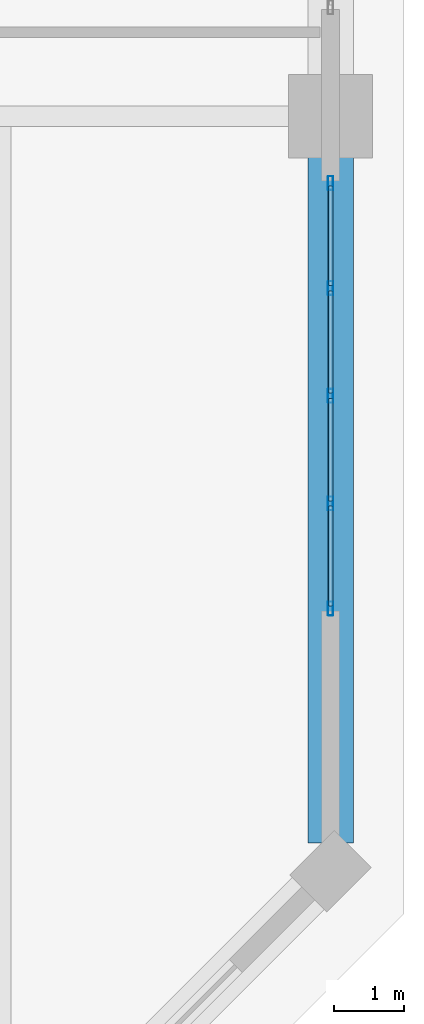
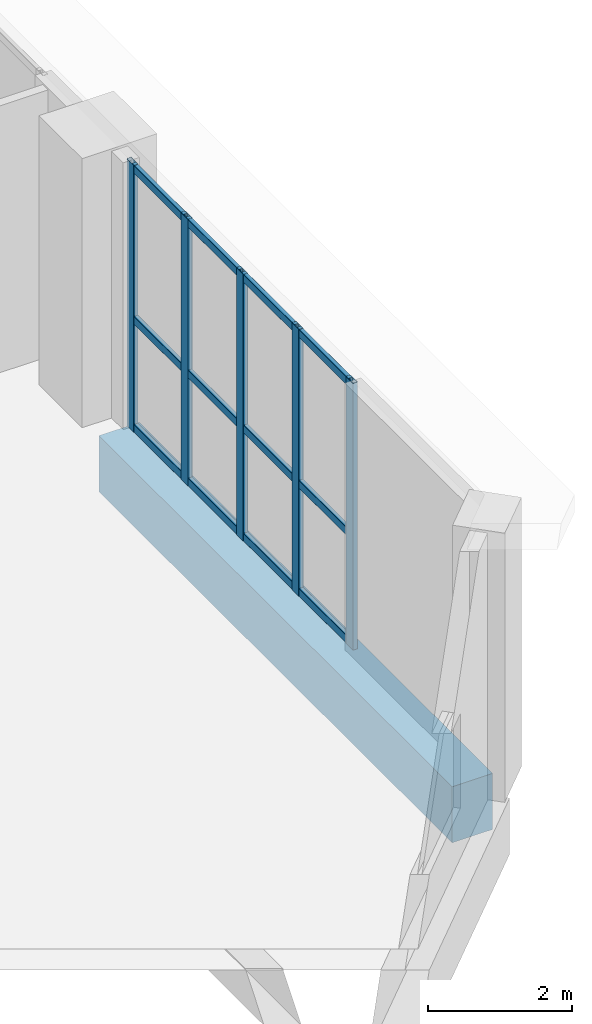
# One storey, part 20 of 37: 17 members, 1 beam, 1 element without a shape of its own.
"""IFC4 building model written with IfcOpenShell, lengths in metres."""

from ifc_helpers import new_model, si_unit, direction, frame, origin, origin_2d, place, context, subcontext, project, spatial, rectangle, hollow_rectangle, extrude, material, layer, layer_set, material_profile, profile_set, type_object, element, aggregate, save


model = new_model("IFC4")

# Units and contexts
model_context = context("Model", 3, precision=1e-05, world=origin(), true_north=direction((0.0, 1.0)))
body_context = subcontext(model_context, "Body", "Model", "MODEL_VIEW")
ifc_project = project(units=[si_unit("LENGTHUNIT", "METRE"), si_unit("AREAUNIT", "SQUARE_METRE"), si_unit("VOLUMEUNIT", "CUBIC_METRE"), si_unit("PLANEANGLEUNIT", "RADIAN"), si_unit("MASSUNIT", "GRAM", prefix="KILO")], contexts=[model_context])

# Site, building, storey
site_placement = place(None, origin())
site = spatial("IfcSite", under=ifc_project, at=site_placement, CompositionType="ELEMENT")
building_placement = place(site_placement, origin())
building = spatial("IfcBuilding", under=site, at=building_placement, Name="Kaelvorn Grand Hotel", CompositionType="ELEMENT")
storey_placement = place(building_placement, frame((0.0, 0.0, 130.550048828125)))
storey = spatial("IfcBuildingStorey", under=building, at=storey_placement, Name="L31", CompositionType="ELEMENT", Elevation=130.550048828125)

# Beam
ifc_material_1 = material(Name="Concrete C60/75", Category="concrete")
ifc_material_profile_1 = material_profile(ifc_material_1, rectangle(XDim=0.64990234375, YDim=0.949951171875, at=origin_2d()), Name="RC SPANDREL 650x950")
ifc_profile_set_1 = profile_set([ifc_material_profile_1], Name="Concrete C60/75")
beam_type = type_object("IfcBeamType", Name="BM-SP-650x950-C60", PredefinedType="SPANDREL", material=ifc_profile_set_1)
beam_placement = place(storey_placement, frame((84.0, 4.60498046875, -0.715087890625), z_axis=(0.0, 1.0, 0.0), x_axis=(-1.0, 0.0, 0.0)))
element("IfcBeam", 1, at=beam_placement, inside=storey, type_object=beam_type, Name="L31 East Perimeter Spandrel 01", PredefinedType="SPANDREL", context=body_context, shape_type="SweptSolid", body=[
    extrude(rectangle(XDim=0.64990234375, YDim=0.949951171875, at=origin_2d()), origin(), (0.0, 0.0, 1.0), 9.81005859375),
])

# Curtain wall, members
ifc_material_2 = material(Name="Anodised Aluminium", Category="aluminium")
ifc_layer = layer(ifc_material_2, 0.199951171875)
ifc_layer_set = layer_set([ifc_layer], Name="Anodised Aluminium")
curtain_wall_type = type_object("IfcCurtainWallType", Name="CW-SYS3", PredefinedType="NOTDEFINED", material=ifc_layer_set)
curtain_wall_placement = place(storey_placement, origin())
curtain_wall = element("IfcCurtainWall", 2, at=curtain_wall_placement, inside=storey, type_object=curtain_wall_type, Name="L31 Unitised Curtain Wall CW3 (CW-L31-E-01)", PredefinedType="NOTDEFINED")
ifc_material_profile_2 = material_profile(ifc_material_2, hollow_rectangle(XDim=0.074951171875, YDim=0.199951171875, WallThickness=0.00390625, InnerFilletRadius=0.00390625, OuterFilletRadius=0.008056640625, at=origin_2d()), Name="ALU MULL 75x200")
ifc_profile_set_2 = profile_set([ifc_material_profile_2], Name="Anodised Aluminium")
member_type_1 = type_object("IfcMemberType", Name="CW-SYS3-MULL", PredefinedType="MULLION", material=ifc_profile_set_2)
member_1_placement = place(storey_placement, frame((84.0, 7.95751953125, 0.0), z_axis=(0.0, 0.0, 1.0), x_axis=(-1.0, 0.0, 0.0)))
member_1 = element("IfcMember", 3, at=member_1_placement, type_object=member_type_1, Name="CW3 mullion 1", PredefinedType="MULLION", context=body_context, shape_type="SweptSolid", body=[
    extrude(hollow_rectangle(XDim=0.074951171875, YDim=0.199951171875, WallThickness=0.00390625, InnerFilletRadius=0.00390625, OuterFilletRadius=0.008056640625, at=origin_2d()), origin(), (0.0, 0.0, 1.0), 4.52001953125),
])
member_2_placement = place(storey_placement, frame((84.0, 9.4599609375, 0.0), z_axis=(0.0, 0.0, 1.0), x_axis=(-1.0, 0.0, 0.0)))
member_2 = element("IfcMember", 4, at=member_2_placement, type_object=member_type_1, Name="CW3 mullion 2", PredefinedType="MULLION", context=body_context, shape_type="SweptSolid", body=[
    extrude(hollow_rectangle(XDim=0.074951171875, YDim=0.199951171875, WallThickness=0.00390625, InnerFilletRadius=0.00390625, OuterFilletRadius=0.008056640625, at=origin_2d()), origin(), (0.0, 0.0, 1.0), 4.52001953125),
])
member_3_placement = place(storey_placement, frame((84.0, 11.0, 0.0), z_axis=(0.0, 0.0, 1.0), x_axis=(-1.0, 0.0, 0.0)))
member_3 = element("IfcMember", 5, at=member_3_placement, type_object=member_type_1, Name="CW3 mullion 3", PredefinedType="MULLION", context=body_context, shape_type="SweptSolid", body=[
    extrude(hollow_rectangle(XDim=0.074951171875, YDim=0.199951171875, WallThickness=0.00390625, InnerFilletRadius=0.00390625, OuterFilletRadius=0.008056640625, at=origin_2d()), origin(), (0.0, 0.0, 1.0), 4.52001953125),
])
member_4_placement = place(storey_placement, frame((84.0, 12.5400390625, 0.0), z_axis=(0.0, 0.0, 1.0), x_axis=(-1.0, 0.0, 0.0)))
member_4 = element("IfcMember", 6, at=member_4_placement, type_object=member_type_1, Name="CW3 mullion 4", PredefinedType="MULLION", context=body_context, shape_type="SweptSolid", body=[
    extrude(hollow_rectangle(XDim=0.074951171875, YDim=0.199951171875, WallThickness=0.00390625, InnerFilletRadius=0.00390625, OuterFilletRadius=0.008056640625, at=origin_2d()), origin(), (0.0, 0.0, 1.0), 4.52001953125),
])
member_5_placement = place(storey_placement, frame((84.0, 14.04248046875, 0.0), z_axis=(0.0, 0.0, 1.0), x_axis=(-1.0, 0.0, 0.0)))
member_5 = element("IfcMember", 7, at=member_5_placement, type_object=member_type_1, Name="CW3 mullion 5", PredefinedType="MULLION", context=body_context, shape_type="SweptSolid", body=[
    extrude(hollow_rectangle(XDim=0.074951171875, YDim=0.199951171875, WallThickness=0.00390625, InnerFilletRadius=0.00390625, OuterFilletRadius=0.008056640625, at=origin_2d()), origin(), (0.0, 0.0, 1.0), 4.52001953125),
])
ifc_material_profile_3 = material_profile(ifc_material_2, hollow_rectangle(XDim=0.070068359375, YDim=0.135009765625, WallThickness=0.00341796875, InnerFilletRadius=0.00341796875, OuterFilletRadius=0.007080078125, at=origin_2d()), Name="ALU TRAN 70x135")
ifc_profile_set_3 = profile_set([ifc_material_profile_3], Name="Anodised Aluminium")
member_type_2 = type_object("IfcMemberType", Name="CW-SYS3-TRAN", PredefinedType="NOTDEFINED", material=ifc_profile_set_3)
member_6_placement = place(storey_placement, frame((84.0, 7.9951171875, 0.0673828125), z_axis=(0.0, 1.0, 0.0), x_axis=(-1.0, 0.0, 0.0)))
member_6 = element("IfcMember", 8, at=member_6_placement, type_object=member_type_2, Name="CW3 transom 1.1", ObjectType="TRANSOM", PredefinedType="USERDEFINED", context=body_context, shape_type="SweptSolid", body=[
    extrude(hollow_rectangle(XDim=0.070068359375, YDim=0.135009765625, WallThickness=0.00341796875, InnerFilletRadius=0.00341796875, OuterFilletRadius=0.007080078125, at=origin_2d()), origin(), (0.0, 0.0, 1.0), 1.427490234375),
])
member_7_placement = place(storey_placement, frame((84.0, 7.9951171875, 1.8984375), z_axis=(0.0, 1.0, 0.0), x_axis=(-1.0, 0.0, 0.0)))
member_7 = element("IfcMember", 9, at=member_7_placement, type_object=member_type_2, Name="CW3 transom 1.2", ObjectType="TRANSOM", PredefinedType="USERDEFINED", context=body_context, shape_type="SweptSolid", body=[
    extrude(hollow_rectangle(XDim=0.070068359375, YDim=0.135009765625, WallThickness=0.00341796875, InnerFilletRadius=0.00341796875, OuterFilletRadius=0.007080078125, at=origin_2d()), origin(), (0.0, 0.0, 1.0), 1.427490234375),
])
member_8_placement = place(storey_placement, frame((84.0, 7.9951171875, 4.452392578125), z_axis=(0.0, 1.0, 0.0), x_axis=(-1.0, 0.0, 0.0)))
member_8 = element("IfcMember", 10, at=member_8_placement, type_object=member_type_2, Name="CW3 transom 1.3", ObjectType="TRANSOM", PredefinedType="USERDEFINED", context=body_context, shape_type="SweptSolid", body=[
    extrude(hollow_rectangle(XDim=0.070068359375, YDim=0.135009765625, WallThickness=0.00341796875, InnerFilletRadius=0.00341796875, OuterFilletRadius=0.007080078125, at=origin_2d()), origin(), (0.0, 0.0, 1.0), 1.427490234375),
])
member_9_placement = place(storey_placement, frame((84.0, 9.49755859375, 0.0673828125), z_axis=(0.0, 1.0, 0.0), x_axis=(-1.0, 0.0, 0.0)))
member_9 = element("IfcMember", 11, at=member_9_placement, type_object=member_type_2, Name="CW3 transom 2.1", ObjectType="TRANSOM", PredefinedType="USERDEFINED", context=body_context, shape_type="SweptSolid", body=[
    extrude(hollow_rectangle(XDim=0.070068359375, YDim=0.135009765625, WallThickness=0.00341796875, InnerFilletRadius=0.00341796875, OuterFilletRadius=0.007080078125, at=origin_2d()), origin(), (0.0, 0.0, 1.0), 1.46484375),
])
member_10_placement = place(storey_placement, frame((84.0, 9.49755859375, 1.8984375), z_axis=(0.0, 1.0, 0.0), x_axis=(-1.0, 0.0, 0.0)))
member_10 = element("IfcMember", 12, at=member_10_placement, type_object=member_type_2, Name="CW3 transom 2.2", ObjectType="TRANSOM", PredefinedType="USERDEFINED", context=body_context, shape_type="SweptSolid", body=[
    extrude(hollow_rectangle(XDim=0.070068359375, YDim=0.135009765625, WallThickness=0.00341796875, InnerFilletRadius=0.00341796875, OuterFilletRadius=0.007080078125, at=origin_2d()), origin(), (0.0, 0.0, 1.0), 1.46484375),
])
member_11_placement = place(storey_placement, frame((84.0, 9.49755859375, 4.452392578125), z_axis=(0.0, 1.0, 0.0), x_axis=(-1.0, 0.0, 0.0)))
member_11 = element("IfcMember", 13, at=member_11_placement, type_object=member_type_2, Name="CW3 transom 2.3", ObjectType="TRANSOM", PredefinedType="USERDEFINED", context=body_context, shape_type="SweptSolid", body=[
    extrude(hollow_rectangle(XDim=0.070068359375, YDim=0.135009765625, WallThickness=0.00341796875, InnerFilletRadius=0.00341796875, OuterFilletRadius=0.007080078125, at=origin_2d()), origin(), (0.0, 0.0, 1.0), 1.46484375),
])
member_12_placement = place(storey_placement, frame((84.0, 11.03759765625, 0.0673828125), z_axis=(0.0, 1.0, 0.0), x_axis=(-1.0, 0.0, 0.0)))
member_12 = element("IfcMember", 14, at=member_12_placement, type_object=member_type_2, Name="CW3 transom 3.1", ObjectType="TRANSOM", PredefinedType="USERDEFINED", context=body_context, shape_type="SweptSolid", body=[
    extrude(hollow_rectangle(XDim=0.070068359375, YDim=0.135009765625, WallThickness=0.00341796875, InnerFilletRadius=0.00341796875, OuterFilletRadius=0.007080078125, at=origin_2d()), origin(), (0.0, 0.0, 1.0), 1.46484375),
])
member_13_placement = place(storey_placement, frame((84.0, 11.03759765625, 1.8984375), z_axis=(0.0, 1.0, 0.0), x_axis=(-1.0, 0.0, 0.0)))
member_13 = element("IfcMember", 15, at=member_13_placement, type_object=member_type_2, Name="CW3 transom 3.2", ObjectType="TRANSOM", PredefinedType="USERDEFINED", context=body_context, shape_type="SweptSolid", body=[
    extrude(hollow_rectangle(XDim=0.070068359375, YDim=0.135009765625, WallThickness=0.00341796875, InnerFilletRadius=0.00341796875, OuterFilletRadius=0.007080078125, at=origin_2d()), origin(), (0.0, 0.0, 1.0), 1.46484375),
])
member_14_placement = place(storey_placement, frame((84.0, 11.03759765625, 4.452392578125), z_axis=(0.0, 1.0, 0.0), x_axis=(-1.0, 0.0, 0.0)))
member_14 = element("IfcMember", 16, at=member_14_placement, type_object=member_type_2, Name="CW3 transom 3.3", ObjectType="TRANSOM", PredefinedType="USERDEFINED", context=body_context, shape_type="SweptSolid", body=[
    extrude(hollow_rectangle(XDim=0.070068359375, YDim=0.135009765625, WallThickness=0.00341796875, InnerFilletRadius=0.00341796875, OuterFilletRadius=0.007080078125, at=origin_2d()), origin(), (0.0, 0.0, 1.0), 1.46484375),
])
member_15_placement = place(storey_placement, frame((84.0, 12.577392578125, 0.0673828125), z_axis=(0.0, 1.0, 0.0), x_axis=(-1.0, 0.0, 0.0)))
member_15 = element("IfcMember", 17, at=member_15_placement, type_object=member_type_2, Name="CW3 transom 4.1", ObjectType="TRANSOM", PredefinedType="USERDEFINED", context=body_context, shape_type="SweptSolid", body=[
    extrude(hollow_rectangle(XDim=0.070068359375, YDim=0.135009765625, WallThickness=0.00341796875, InnerFilletRadius=0.00341796875, OuterFilletRadius=0.007080078125, at=origin_2d()), origin(), (0.0, 0.0, 1.0), 1.427490234375),
])
member_16_placement = place(storey_placement, frame((84.0, 12.577392578125, 1.8984375), z_axis=(0.0, 1.0, 0.0), x_axis=(-1.0, 0.0, 0.0)))
member_16 = element("IfcMember", 18, at=member_16_placement, type_object=member_type_2, Name="CW3 transom 4.2", ObjectType="TRANSOM", PredefinedType="USERDEFINED", context=body_context, shape_type="SweptSolid", body=[
    extrude(hollow_rectangle(XDim=0.070068359375, YDim=0.135009765625, WallThickness=0.00341796875, InnerFilletRadius=0.00341796875, OuterFilletRadius=0.007080078125, at=origin_2d()), origin(), (0.0, 0.0, 1.0), 1.427490234375),
])
member_17_placement = place(storey_placement, frame((84.0, 12.577392578125, 4.452392578125), z_axis=(0.0, 1.0, 0.0), x_axis=(-1.0, 0.0, 0.0)))
member_17 = element("IfcMember", 19, at=member_17_placement, type_object=member_type_2, Name="CW3 transom 4.3", ObjectType="TRANSOM", PredefinedType="USERDEFINED", context=body_context, shape_type="SweptSolid", body=[
    extrude(hollow_rectangle(XDim=0.070068359375, YDim=0.135009765625, WallThickness=0.00341796875, InnerFilletRadius=0.00341796875, OuterFilletRadius=0.007080078125, at=origin_2d()), origin(), (0.0, 0.0, 1.0), 1.427490234375),
])
aggregate(curtain_wall, [member_1, member_2, member_3, member_4, member_5, member_6, member_7, member_8, member_9, member_10, member_11, member_12, member_13, member_14, member_15, member_16, member_17])

save(model, "model.ifc")
